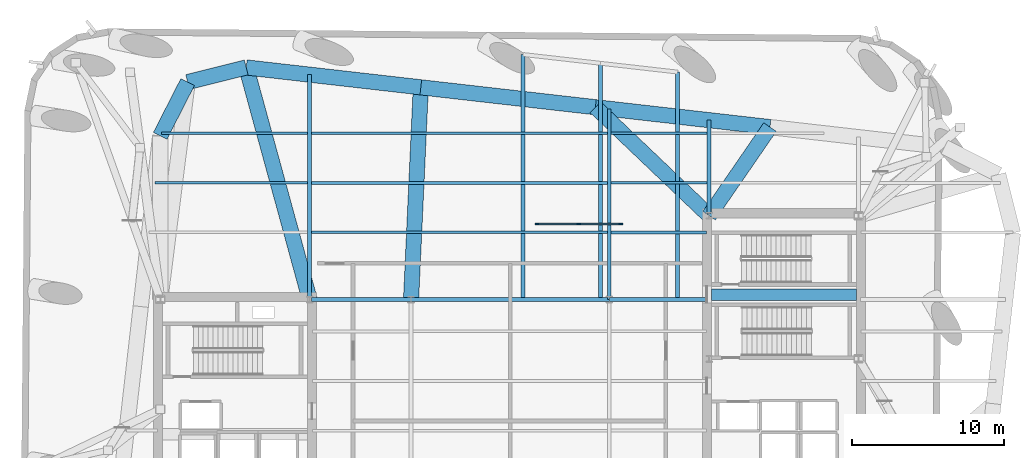
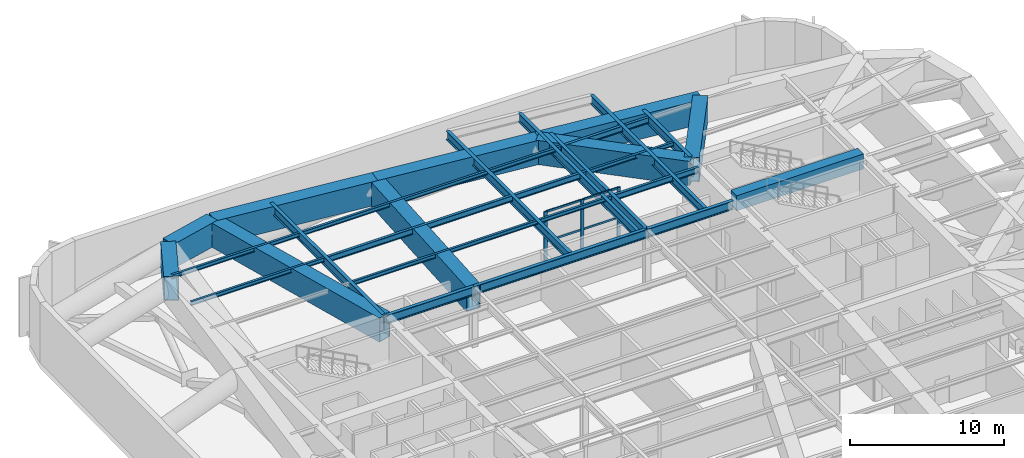
# One storey, part 5 of 13: 27 beams, 9 members, 1 element without a shape of its own.
"""IFC4 building model written with IfcOpenShell, lengths in metres."""

import ifcopenshell
import ifcopenshell.guid

model = None  # the IFC model being written
_history = None  # IfcOwnerHistory: only IFC2X3 demands one
_inside = {}  # id of a spatial element -> (the spatial element, [elements in it])
_under = {}  # id of a project, library or spatial element -> (it, [spatial elements below it])
_declared = {}  # id of a project -> (the project, [libraries it declares])
_typed = {}  # id of a type object -> (the type object, [elements of that type])
_made_of = {}  # id of a material, layer set ... -> (it, [elements and type objects made of it])


def new_model(schema):
    """Start an empty IFC model of exactly this schema.

    Asked for "IFC4X3", IfcOpenShell would pick the latest addendum, in which some entities
    have other attributes; the version numbers below select the first issue.
    IFC2X3 requires an IfcOwnerHistory on every rooted entity: one is made here for all.
    """
    global model, _history
    if schema == "IFC4X3":
        model = ifcopenshell.file(schema_version=(4, 3, 0, 0))
    else:
        model = ifcopenshell.file(schema=schema)
    _inside.clear()
    _under.clear()
    _declared.clear()
    _typed.clear()
    _made_of.clear()
    _history = None
    if model.schema == "IFC2X3":
        org = make("IfcOrganization", Name="unknown")
        user = make(
            "IfcPersonAndOrganization",
            ThePerson=make("IfcPerson", FamilyName="unknown"),
            TheOrganization=org,
        )
        app = make(
            "IfcApplication",
            ApplicationDeveloper=org,
            Version="unknown",
            ApplicationFullName="unknown",
            ApplicationIdentifier="unknown",
        )
        _history = make(
            "IfcOwnerHistory",
            OwningUser=user,
            OwningApplication=app,
            ChangeAction="ADDED",
            CreationDate=0,
        )
    return model


def make(cls, **values):
    """One entity of the class cls with the attributes given. An attribute that is None is left unset."""
    return model.create_entity(
        cls, **{name: value for name, value in values.items() if value is not None}
    )


def rooted(cls, **values):
    """An entity with a GlobalId (a new one), such as an element, a storey or a relation."""
    return make(cls, GlobalId=ifcopenshell.guid.new(), OwnerHistory=_history, **values)


def si_unit(unit_type, name, prefix=None):
    """IfcSIUnit, for example si_unit("LENGTHUNIT", "METRE", prefix="MILLI")."""
    return make("IfcSIUnit", UnitType=unit_type, Prefix=prefix, Name=name)


def assignment(units):
    """IfcUnitAssignment: the units of a project."""
    return None if units is None else make("IfcUnitAssignment", Units=units)


def point(xyz):
    """IfcCartesianPoint."""
    return None if xyz is None else make("IfcCartesianPoint", Coordinates=xyz)


def direction(xyz):
    """IfcDirection."""
    return None if xyz is None else make("IfcDirection", DirectionRatios=xyz)


def frame(location, z_axis=None, x_axis=None):
    """IfcAxis2Placement3D, a coordinate frame: its origin and axes. An axis left out is left unset."""
    return make(
        "IfcAxis2Placement3D",
        Location=point(location),
        Axis=direction(z_axis),
        RefDirection=direction(x_axis),
    )


def frame_2d(location, x_axis=None):
    """IfcAxis2Placement2D, a coordinate frame in the plane: its origin and x axis."""
    return make(
        "IfcAxis2Placement2D", Location=point(location), RefDirection=direction(x_axis)
    )


def origin():
    """The frame at (0, 0, 0) with its axes left unset."""
    return frame((0.0, 0.0, 0.0))


def origin_2d():
    """The frame at (0, 0) in the plane with its x axis left unset."""
    return frame_2d((0.0, 0.0))


def place(relative_to, where):
    """IfcLocalPlacement: puts the frame where relative to a parent placement (None: the world)."""
    return make(
        "IfcLocalPlacement", PlacementRelTo=relative_to, RelativePlacement=where
    )


def context(
    kind, dimensions, precision=None, world=None, true_north=None, identifier=None
):
    """IfcGeometricRepresentationContext, for example the 3D "Model" context."""
    return make(
        "IfcGeometricRepresentationContext",
        ContextIdentifier=identifier,
        ContextType=kind,
        CoordinateSpaceDimension=dimensions,
        Precision=precision,
        WorldCoordinateSystem=world,
        TrueNorth=true_north,
    )


def subcontext(parent, identifier, kind, view, scale=None):
    """IfcGeometricRepresentationSubContext, for example "Body" below "Model"."""
    return make(
        "IfcGeometricRepresentationSubContext",
        ContextIdentifier=identifier,
        ContextType=kind,
        ParentContext=parent,
        TargetScale=scale,
        TargetView=view,
    )


def project(units=None, contexts=None):
    """IfcProject with its units and contexts."""
    return rooted(
        "IfcProject",
        Name="project",
        RepresentationContexts=contexts,
        UnitsInContext=assignment(units),
    )


def spatial(cls, under=None, at=None, **own):
    """A site, building, storey or space (cls), placed at a placement, below another one or the project."""
    s = rooted(cls, ObjectPlacement=at, **own)
    if under is not None:
        _under.setdefault(under.id(), (under, []))[1].append(s)
    return s


def profile(cls, at=None, kind="AREA", **sizes):
    """A parametric profile (cls). Its sizes go by their IFC names, for example OverallWidth=200.0."""
    return make(cls, ProfileType=kind, Position=at, **sizes)


def rectangle(**sizes):
    """IfcRectangleProfileDef."""
    return profile("IfcRectangleProfileDef", **sizes)


def hollow_rectangle(**sizes):
    """IfcRectangleHollowProfileDef."""
    return profile("IfcRectangleHollowProfileDef", **sizes)


def i_section(**sizes):
    """IfcIShapeProfileDef."""
    return profile("IfcIShapeProfileDef", **sizes)


def extrude(swept, where, along, depth):
    """IfcExtrudedAreaSolid: the profile swept, set in the frame where, extruded along a direction by depth."""
    return make(
        "IfcExtrudedAreaSolid",
        SweptArea=swept,
        Position=where,
        ExtrudedDirection=direction(along),
        Depth=depth,
    )


def shape(context_of_items, identifier, shape_type, items):
    """IfcShapeRepresentation: the items that make up one representation, for example the "Body"."""
    return make(
        "IfcShapeRepresentation",
        ContextOfItems=context_of_items,
        RepresentationIdentifier=identifier,
        RepresentationType=shape_type,
        Items=items,
    )


def material(Name=None, Category=None):
    """IfcMaterial."""
    return make("IfcMaterial", Name=Name, Category=Category)


def material_profile(
    of_material, cross_section, Name=None, Category=None, Priority=None
):
    """IfcMaterialProfile: a cross section and its material."""
    return make(
        "IfcMaterialProfile",
        Name=Name,
        Material=of_material,
        Profile=cross_section,
        Priority=Priority,
        Category=Category,
    )


def profile_set(profiles, Name=None, composite=None):
    """IfcMaterialProfileSet."""
    return make(
        "IfcMaterialProfileSet",
        Name=Name,
        MaterialProfiles=profiles,
        CompositeProfile=composite,
    )


def made_of(thing, what):
    """Note that an element or type object is made of a material, layer set ...; save() writes the relation."""
    if what is not None:
        _made_of.setdefault(what.id(), (what, []))[1].append(thing)
    return thing


def type_object(cls, material=None, **own):
    """A type object (cls), such as IfcWallType, which elements share."""
    return made_of(rooted(cls, **own), material)


def element(
    cls,
    number,
    at=None,
    inside=None,
    cuts=None,
    type_object=None,
    material=None,
    context=None,
    identifier="Body",
    shape_type=None,
    held_by="IfcProductDefinitionShape",
    body=None,
    shapes=None,
    **own,
):
    """One element of the class cls, such as IfcWall. Its Tag is "e" and its number.

    at: its placement. inside: the storey or other place that contains it. cuts: it is an
    opening in that element (IfcRelVoidsElement). A single representation is given by context,
    identifier, shape_type and body (its items); several are given by shapes. held_by: the class
    of the entity that holds the representations. save() writes the other relations.
    """
    e = rooted(cls, Tag="e%d" % number, ObjectPlacement=at, **own)
    if body is not None:
        shapes = [shape(context, identifier, shape_type, body)]
    if shapes is not None:
        e.Representation = make(held_by, Representations=shapes)
    if inside is not None:
        _inside.setdefault(inside.id(), (inside, []))[1].append(e)
    if cuts is not None:
        rooted(
            "IfcRelVoidsElement", RelatingBuildingElement=cuts, RelatedOpeningElement=e
        )
    if type_object is not None:
        _typed.setdefault(type_object.id(), (type_object, []))[1].append(e)
    return made_of(e, material)


def aggregate(whole, parts):
    """IfcRelAggregates: a whole, such as a stair, and the parts it consists of."""
    return rooted("IfcRelAggregates", RelatingObject=whole, RelatedObjects=parts)


def save(model, path):
    """Write the relations noted so far, then the file.

    IfcRelAggregates (storeys below a building ...), IfcRelContainedInSpatialStructure (elements
    in a storey), IfcRelDefinesByType, IfcRelAssociatesMaterial and IfcRelDeclares: one each for
    every whole, place, type object, material and project.
    """
    for whole, parts in _under.values():
        aggregate(whole, parts)
    for where, things in _inside.values():
        rooted(
            "IfcRelContainedInSpatialStructure",
            RelatedElements=things,
            RelatingStructure=where,
        )
    for kind, things in _typed.values():
        rooted("IfcRelDefinesByType", RelatedObjects=things, RelatingType=kind)
    for what, things in _made_of.values():
        rooted("IfcRelAssociatesMaterial", RelatedObjects=things, RelatingMaterial=what)
    for by, libraries in _declared.values():
        rooted("IfcRelDeclares", RelatingContext=by, RelatedDefinitions=libraries)
    model.write(path)


model = new_model("IFC4")

# Units and contexts
model_context = context("Model", 3, precision=1e-05, world=origin(), true_north=direction((0.0, 1.0)))
body_context = subcontext(model_context, "Body", "Model", "MODEL_VIEW")
ifc_project = project(units=[si_unit("LENGTHUNIT", "METRE"), si_unit("AREAUNIT", "SQUARE_METRE"), si_unit("VOLUMEUNIT", "CUBIC_METRE"), si_unit("PLANEANGLEUNIT", "RADIAN"), si_unit("MASSUNIT", "GRAM", prefix="KILO")], contexts=[model_context])

# Site, building, storey
site_placement = place(None, origin())
site = spatial("IfcSite", under=ifc_project, at=site_placement, CompositionType="ELEMENT")
building_placement = place(site_placement, origin())
building = spatial("IfcBuilding", under=site, at=building_placement, Name="Kolvaren Arena Tower", CompositionType="ELEMENT")
storey_placement = place(building_placement, frame((0.0, 0.0, 210.949951171875)))
storey = spatial("IfcBuildingStorey", under=building, at=storey_placement, Name="L51", CompositionType="ELEMENT", Elevation=210.949951171875)

# Beams
ifc_material_1 = material(Name="Steel CSA G40.21 350W", Category="steel")
ifc_material_profile_1 = material_profile(ifc_material_1, i_section(OverallWidth=0.193115234375, OverallDepth=0.462890625, WebThickness=0.0107421875, FlangeThickness=0.0205078125, FilletRadius=0.012939453125, at=origin_2d()), Name="W460x113")
ifc_profile_set_1 = profile_set([ifc_material_profile_1], Name="Steel CSA G40.21 350W")
beam_type_1 = type_object("IfcBeamType", Name="BEAM-F2", PredefinedType="BEAM", material=ifc_profile_set_1)
beam_1_placement = place(storey_placement, frame((44.12744140625, 38.25, 4.5185546875), z_axis=(1.0, 0.0, 0.0), x_axis=(0.0, 1.0, 0.0)))
element("IfcBeam", 1, at=beam_1_placement, inside=storey, type_object=beam_type_1, Name="Composite Floor Beam (L51)", PredefinedType="BEAM", context=body_context, shape_type="SweptSolid", body=[
    extrude(i_section(OverallWidth=0.193115234375, OverallDepth=0.462890625, WebThickness=0.0107421875, FlangeThickness=0.0205078125, FilletRadius=0.012939453125, at=origin_2d()), origin(), (0.0, 0.0, 1.0), 6.25244140625),
])
beam_2_placement = place(storey_placement, frame((24.4775390625, 41.5, 4.5185546875), z_axis=(1.0, 0.0, 0.0), x_axis=(0.0, 1.0, 0.0)))
element("IfcBeam", 2, at=beam_2_placement, inside=storey, type_object=beam_type_1, Name="Composite Floor Beam (L51)", PredefinedType="BEAM", context=body_context, shape_type="SweptSolid", body=[
    extrude(i_section(OverallWidth=0.193115234375, OverallDepth=0.462890625, WebThickness=0.0107421875, FlangeThickness=0.0205078125, FilletRadius=0.012939453125, at=origin_2d()), origin(), (0.0, 0.0, 1.0), 19.39501953125),
])
beam_3_placement = place(storey_placement, frame((44.12744140625, 44.75, 4.5185546875), z_axis=(1.0, 0.0, 0.0), x_axis=(0.0, 1.0, 0.0)))
element("IfcBeam", 3, at=beam_3_placement, inside=storey, type_object=beam_type_1, Name="Composite Floor Beam (L51)", PredefinedType="BEAM", context=body_context, shape_type="SweptSolid", body=[
    extrude(i_section(OverallWidth=0.193115234375, OverallDepth=0.462890625, WebThickness=0.0107421875, FlangeThickness=0.0205078125, FilletRadius=0.012939453125, at=origin_2d()), origin(), (0.0, 0.0, 1.0), 6.295166015625),
])
ifc_material_2 = material(Name="Concrete 60 MPa", Category="concrete")
ifc_material_profile_2 = material_profile(ifc_material_2, rectangle(XDim=0.75, YDim=1.199951171875, at=origin_2d()), Name="RC-750x1200")
ifc_profile_set_2 = profile_set([ifc_material_profile_2], Name="Concrete 60 MPa")
beam_type_2 = type_object("IfcBeamType", Name="CB-CORE-2", PredefinedType="BEAM", material=ifc_profile_set_2)
beam_4_placement = place(storey_placement, frame((50.699951171875, 34.14990234375, 4.420166015625), z_axis=(1.0, 0.0, 0.0), x_axis=(0.0, 1.0, 0.0)))
element("IfcBeam", 4, at=beam_4_placement, inside=storey, type_object=beam_type_2, Name="East Core Coupling Beam (L51)", PredefinedType="BEAM", context=body_context, shape_type="SweptSolid", body=[
    extrude(rectangle(XDim=0.75, YDim=1.199951171875, at=origin_2d()), origin(), (0.0, 0.0, 1.0), 9.5),
])

# Curtain wall, members
ifc_material_3 = material(Name="Anodised aluminium unitised curtain wall", Category="aluminium")
curtain_wall_type = type_object("IfcCurtainWallType", Name="CW-SYS-05", PredefinedType="USERDEFINED", material=ifc_material_3)
curtain_wall_placement = place(storey_placement, origin())
curtain_wall = element("IfcCurtainWall", 5, at=curtain_wall_placement, inside=storey, type_object=curtain_wall_type, Name="Mechanical Plant Louvre Curtain Wall (L51)", ObjectType="ACOUSTIC LOUVRE SCREEN", PredefinedType="USERDEFINED")
ifc_material_4 = material(Name="Anodised aluminium 6063-T6", Category="aluminium")
ifc_material_profile_3 = material_profile(ifc_material_4, rectangle(XDim=0.10009765625, YDim=0.239990234375, at=origin_2d()), Name="ALU-100x240")
ifc_profile_set_3 = profile_set([ifc_material_profile_3], Name="Anodised aluminium 6063-T6")
member_type_1 = type_object("IfcMemberType", Name="CWM-HVY", PredefinedType="MULLION", material=ifc_profile_set_3)
member_1_placement = place(storey_placement, frame((39.25, 38.800048828125, 0.0), z_axis=(0.0, 0.0, 1.0), x_axis=(0.0, 1.0, 0.0)))
member_1 = element("IfcMember", 6, at=member_1_placement, type_object=member_type_1, Name="CW5 mullion 1", PredefinedType="MULLION", context=body_context, shape_type="SweptSolid", body=[
    extrude(rectangle(XDim=0.10009765625, YDim=0.239990234375, at=origin_2d()), origin(), (0.0, 0.0, 1.0), 4.75),
])
member_2_placement = place(storey_placement, frame((42.0, 38.800048828125, 0.0), z_axis=(0.0, 0.0, 1.0), x_axis=(0.0, 1.0, 0.0)))
member_2 = element("IfcMember", 7, at=member_2_placement, type_object=member_type_1, Name="CW5 mullion 2", PredefinedType="MULLION", context=body_context, shape_type="SweptSolid", body=[
    extrude(rectangle(XDim=0.10009765625, YDim=0.239990234375, at=origin_2d()), origin(), (0.0, 0.0, 1.0), 4.75),
])
member_3_placement = place(storey_placement, frame((44.75, 38.800048828125, 0.0), z_axis=(0.0, 0.0, 1.0), x_axis=(0.0, 1.0, 0.0)))
member_3 = element("IfcMember", 8, at=member_3_placement, type_object=member_type_1, Name="CW5 mullion 3", PredefinedType="MULLION", context=body_context, shape_type="SweptSolid", body=[
    extrude(rectangle(XDim=0.10009765625, YDim=0.239990234375, at=origin_2d()), origin(), (0.0, 0.0, 1.0), 4.75),
])
ifc_material_profile_4 = material_profile(ifc_material_4, rectangle(XDim=0.080078125, YDim=0.14990234375, at=origin_2d()), Name="ALU-80x150")
ifc_profile_set_4 = profile_set([ifc_material_profile_4], Name="Anodised aluminium 6063-T6")
member_type_2 = type_object("IfcMemberType", Name="CWT-STD", PredefinedType="USERDEFINED", material=ifc_profile_set_4)
member_4_placement = place(storey_placement, frame((39.300048828125, 38.800048828125, 0.0400390625), z_axis=(1.0, 0.0, 0.0), x_axis=(0.0, 1.0, 0.0)))
member_4 = element("IfcMember", 9, at=member_4_placement, type_object=member_type_2, Name="CW5 transom 1.1", ObjectType="TRANSOM", PredefinedType="USERDEFINED", context=body_context, shape_type="SweptSolid", body=[
    extrude(rectangle(XDim=0.080078125, YDim=0.14990234375, at=origin_2d()), origin(), (0.0, 0.0, 1.0), 2.64990234375),
])
member_5_placement = place(storey_placement, frame((39.300048828125, 38.800048828125, 2.375), z_axis=(1.0, 0.0, 0.0), x_axis=(0.0, 1.0, 0.0)))
member_5 = element("IfcMember", 10, at=member_5_placement, type_object=member_type_2, Name="CW5 transom 1.2", ObjectType="TRANSOM", PredefinedType="USERDEFINED", context=body_context, shape_type="SweptSolid", body=[
    extrude(rectangle(XDim=0.080078125, YDim=0.14990234375, at=origin_2d()), origin(), (0.0, 0.0, 1.0), 2.64990234375),
])
member_6_placement = place(storey_placement, frame((39.300048828125, 38.800048828125, 4.7099609375), z_axis=(1.0, 0.0, 0.0), x_axis=(0.0, 1.0, 0.0)))
member_6 = element("IfcMember", 11, at=member_6_placement, type_object=member_type_2, Name="CW5 transom 1.3", ObjectType="TRANSOM", PredefinedType="USERDEFINED", context=body_context, shape_type="SweptSolid", body=[
    extrude(rectangle(XDim=0.080078125, YDim=0.14990234375, at=origin_2d()), origin(), (0.0, 0.0, 1.0), 2.64990234375),
])
member_7_placement = place(storey_placement, frame((42.050048828125, 38.800048828125, 0.0400390625), z_axis=(1.0, 0.0, 0.0), x_axis=(0.0, 1.0, 0.0)))
member_7 = element("IfcMember", 12, at=member_7_placement, type_object=member_type_2, Name="CW5 transom 2.1", ObjectType="TRANSOM", PredefinedType="USERDEFINED", context=body_context, shape_type="SweptSolid", body=[
    extrude(rectangle(XDim=0.080078125, YDim=0.14990234375, at=origin_2d()), origin(), (0.0, 0.0, 1.0), 2.64990234375),
])
member_8_placement = place(storey_placement, frame((42.050048828125, 38.800048828125, 2.375), z_axis=(1.0, 0.0, 0.0), x_axis=(0.0, 1.0, 0.0)))
member_8 = element("IfcMember", 13, at=member_8_placement, type_object=member_type_2, Name="CW5 transom 2.2", ObjectType="TRANSOM", PredefinedType="USERDEFINED", context=body_context, shape_type="SweptSolid", body=[
    extrude(rectangle(XDim=0.080078125, YDim=0.14990234375, at=origin_2d()), origin(), (0.0, 0.0, 1.0), 2.64990234375),
])
member_9_placement = place(storey_placement, frame((42.050048828125, 38.800048828125, 4.7099609375), z_axis=(1.0, 0.0, 0.0), x_axis=(0.0, 1.0, 0.0)))
member_9 = element("IfcMember", 14, at=member_9_placement, type_object=member_type_2, Name="CW5 transom 2.3", ObjectType="TRANSOM", PredefinedType="USERDEFINED", context=body_context, shape_type="SweptSolid", body=[
    extrude(rectangle(XDim=0.080078125, YDim=0.14990234375, at=origin_2d()), origin(), (0.0, 0.0, 1.0), 2.64990234375),
])
aggregate(curtain_wall, [member_1, member_2, member_3, member_4, member_5, member_6, member_7, member_8, member_9])

# Beams
ifc_material_profile_5 = material_profile(ifc_material_1, i_section(OverallWidth=0.2548828125, OverallDepth=0.695068359375, WebThickness=0.01708984375, FlangeThickness=0.02978515625, FilletRadius=0.01611328125, at=origin_2d()), Name="W690x217")
ifc_profile_set_5 = profile_set([ifc_material_profile_5], Name="Steel CSA G40.21 350W")
beam_type_3 = type_object("IfcBeamType", Name="GIRD-T2", PredefinedType="BEAM", material=ifc_profile_set_5)
beam_5_placement = place(storey_placement, frame((24.47998046875, 33.85009765625, 4.402587890625), z_axis=(1.0, 0.0, 0.0), x_axis=(0.0, 1.0, 0.0)))
element("IfcBeam", 15, at=beam_5_placement, inside=storey, type_object=beam_type_3, Name="Primary Floor Girder (L51)", PredefinedType="BEAM", context=body_context, shape_type="SweptSolid", body=[
    extrude(i_section(OverallWidth=0.2548828125, OverallDepth=0.695068359375, WebThickness=0.01708984375, FlangeThickness=0.02978515625, FilletRadius=0.01611328125, at=origin_2d()), origin(), (0.0, 0.0, 1.0), 6.52001953125),
])
beam_6_placement = place(storey_placement, frame((31.0, 33.85009765625, 4.402587890625), z_axis=(1.0, 0.0, 0.0), x_axis=(0.0, 1.0, 0.0)))
element("IfcBeam", 16, at=beam_6_placement, inside=storey, type_object=beam_type_3, Name="Primary Floor Girder (L51)", PredefinedType="BEAM", context=body_context, shape_type="SweptSolid", body=[
    extrude(i_section(OverallWidth=0.2548828125, OverallDepth=0.695068359375, WebThickness=0.01708984375, FlangeThickness=0.02978515625, FilletRadius=0.01611328125, at=origin_2d()), origin(), (0.0, 0.0, 1.0), 13.0),
])
beam_7_placement = place(storey_placement, frame((44.0, 33.85009765625, 4.402587890625), z_axis=(1.0, 0.0, 0.0), x_axis=(0.0, 1.0, 0.0)))
element("IfcBeam", 17, at=beam_7_placement, inside=storey, type_object=beam_type_3, Name="Primary Floor Girder (L51)", PredefinedType="BEAM", context=body_context, shape_type="SweptSolid", body=[
    extrude(i_section(OverallWidth=0.2548828125, OverallDepth=0.695068359375, WebThickness=0.01708984375, FlangeThickness=0.02978515625, FilletRadius=0.01611328125, at=origin_2d()), origin(), (0.0, 0.0, 1.0), 6.419921875),
])
beam_8_placement = place(storey_placement, frame((24.35009765625, 33.97998046875, 4.402587890625), z_axis=(0.0, 1.0, 0.0), x_axis=(-1.0, 0.0, 0.0)))
element("IfcBeam", 18, at=beam_8_placement, inside=storey, type_object=beam_type_3, Name="Primary Floor Girder (L51)", PredefinedType="BEAM", context=body_context, shape_type="SweptSolid", body=[
    extrude(i_section(OverallWidth=0.2548828125, OverallDepth=0.695068359375, WebThickness=0.01708984375, FlangeThickness=0.02978515625, FilletRadius=0.01611328125, at=origin_2d()), origin(), (0.0, 0.0, 1.0), 14.61376953125),
])
beam_9_placement = place(storey_placement, frame((44.0, 33.85009765625, 4.402587890625), z_axis=(0.0, 1.0, 0.0), x_axis=(-1.0, 0.0, 0.0)))
element("IfcBeam", 19, at=beam_9_placement, inside=storey, type_object=beam_type_3, Name="Primary Floor Girder (L51)", PredefinedType="BEAM", context=body_context, shape_type="SweptSolid", body=[
    extrude(i_section(OverallWidth=0.2548828125, OverallDepth=0.695068359375, WebThickness=0.01708984375, FlangeThickness=0.02978515625, FilletRadius=0.01611328125, at=origin_2d()), origin(), (0.0, 0.0, 1.0), 12.5048828125),
])
beam_10_placement = place(storey_placement, frame((50.550048828125, 39.47998046875, 4.402587890625), z_axis=(0.0, 1.0, 0.0), x_axis=(-1.0, 0.0, 0.0)))
element("IfcBeam", 20, at=beam_10_placement, inside=storey, type_object=beam_type_3, Name="Primary Floor Girder (L51)", PredefinedType="BEAM", context=body_context, shape_type="SweptSolid", body=[
    extrude(i_section(OverallWidth=0.2548828125, OverallDepth=0.695068359375, WebThickness=0.01708984375, FlangeThickness=0.02978515625, FilletRadius=0.01611328125, at=origin_2d()), origin(), (0.0, 0.0, 1.0), 6.128662109375),
])
beam_11_placement = place(storey_placement, frame((38.3515625, 33.85009765625, 4.402587890625), z_axis=(0.0, 1.0, 0.0), x_axis=(-1.0, 0.0, 0.0)))
element("IfcBeam", 21, at=beam_11_placement, inside=storey, type_object=beam_type_3, Name="Terrace Cantilever Support Girder (L52)", PredefinedType="BEAM", context=body_context, shape_type="SweptSolid", body=[
    extrude(i_section(OverallWidth=0.2548828125, OverallDepth=0.695068359375, WebThickness=0.01708984375, FlangeThickness=0.02978515625, FilletRadius=0.01611328125, at=origin_2d()), origin(), (0.0, 0.0, 1.0), 16.067138671875),
])
beam_12_placement = place(storey_placement, frame((43.418701171875, 33.85009765625, 4.402587890625), z_axis=(0.0, 1.0, 0.0), x_axis=(-1.0, 0.0, 0.0)))
element("IfcBeam", 22, at=beam_12_placement, inside=storey, type_object=beam_type_3, Name="Terrace Cantilever Support Girder (L52)", PredefinedType="BEAM", context=body_context, shape_type="SweptSolid", body=[
    extrude(i_section(OverallWidth=0.2548828125, OverallDepth=0.695068359375, WebThickness=0.01708984375, FlangeThickness=0.02978515625, FilletRadius=0.01611328125, at=origin_2d()), origin(), (0.0, 0.0, 1.0), 15.48974609375),
])
beam_13_placement = place(storey_placement, frame((48.486083984375, 33.85009765625, 4.402587890625), z_axis=(0.0, 1.0, 0.0), x_axis=(-1.0, 0.0, 0.0)))
element("IfcBeam", 23, at=beam_13_placement, inside=storey, type_object=beam_type_3, Name="Terrace Cantilever Support Girder (L52)", PredefinedType="BEAM", context=body_context, shape_type="SweptSolid", body=[
    extrude(i_section(OverallWidth=0.2548828125, OverallDepth=0.695068359375, WebThickness=0.01708984375, FlangeThickness=0.02978515625, FilletRadius=0.01611328125, at=origin_2d()), origin(), (0.0, 0.0, 1.0), 14.91259765625),
])
ifc_material_profile_6 = material_profile(ifc_material_1, i_section(OverallWidth=0.1669921875, OverallDepth=0.31689453125, WebThickness=0.007568359375, FlangeThickness=0.01318359375, FilletRadius=0.010009765625, at=origin_2d()), Name="W310x52")
ifc_profile_set_6 = profile_set([ifc_material_profile_6], Name="Steel CSA G40.21 350W")
beam_type_4 = type_object("IfcBeamType", Name="JOIST-02", PredefinedType="JOIST", material=ifc_profile_set_6)
beam_14_placement = place(storey_placement, frame((24.4775390625, 38.25, 4.591552734375), z_axis=(1.0, 0.0, 0.0), x_axis=(0.0, 1.0, 0.0)))
element("IfcBeam", 24, at=beam_14_placement, inside=storey, type_object=beam_type_4, Name="Composite Floor Joist (L51)", PredefinedType="JOIST", context=body_context, shape_type="SweptSolid", body=[
    extrude(i_section(OverallWidth=0.1669921875, OverallDepth=0.31689453125, WebThickness=0.007568359375, FlangeThickness=0.01318359375, FilletRadius=0.010009765625, at=origin_2d()), origin(), (0.0, 0.0, 1.0), 19.39501953125),
])
beam_15_placement = place(storey_placement, frame((14.193359375, 41.5, 4.591552734375), z_axis=(1.0, 0.0, 0.0), x_axis=(0.0, 1.0, 0.0)))
element("IfcBeam", 25, at=beam_15_placement, inside=storey, type_object=beam_type_4, Name="Composite Floor Joist (L51)", PredefinedType="JOIST", context=body_context, shape_type="SweptSolid", body=[
    extrude(i_section(OverallWidth=0.1669921875, OverallDepth=0.31689453125, WebThickness=0.007568359375, FlangeThickness=0.01318359375, FilletRadius=0.010009765625, at=origin_2d()), origin(), (0.0, 0.0, 1.0), 10.029052734375),
])
beam_16_placement = place(storey_placement, frame((44.12744140625, 41.5, 4.591552734375), z_axis=(1.0, 0.0, 0.0), x_axis=(0.0, 1.0, 0.0)))
element("IfcBeam", 26, at=beam_16_placement, inside=storey, type_object=beam_type_4, Name="Composite Floor Joist (L51)", PredefinedType="JOIST", context=body_context, shape_type="SweptSolid", body=[
    extrude(i_section(OverallWidth=0.1669921875, OverallDepth=0.31689453125, WebThickness=0.007568359375, FlangeThickness=0.01318359375, FilletRadius=0.010009765625, at=origin_2d()), origin(), (0.0, 0.0, 1.0), 6.295166015625),
])
beam_17_placement = place(storey_placement, frame((14.632080078125, 44.75, 4.591552734375), z_axis=(1.0, 0.0, 0.0), x_axis=(0.0, 1.0, 0.0)))
element("IfcBeam", 27, at=beam_17_placement, inside=storey, type_object=beam_type_4, Name="Composite Floor Joist (L51)", PredefinedType="JOIST", context=body_context, shape_type="SweptSolid", body=[
    extrude(i_section(OverallWidth=0.1669921875, OverallDepth=0.31689453125, WebThickness=0.007568359375, FlangeThickness=0.01318359375, FilletRadius=0.010009765625, at=origin_2d()), origin(), (0.0, 0.0, 1.0), 9.59033203125),
])
beam_18_placement = place(storey_placement, frame((24.4775390625, 44.75, 4.591552734375), z_axis=(1.0, 0.0, 0.0), x_axis=(0.0, 1.0, 0.0)))
element("IfcBeam", 28, at=beam_18_placement, inside=storey, type_object=beam_type_4, Name="Composite Floor Joist (L51)", PredefinedType="JOIST", context=body_context, shape_type="SweptSolid", body=[
    extrude(i_section(OverallWidth=0.1669921875, OverallDepth=0.31689453125, WebThickness=0.007568359375, FlangeThickness=0.01318359375, FilletRadius=0.010009765625, at=origin_2d()), origin(), (0.0, 0.0, 1.0), 19.39501953125),
])
ifc_material_5 = material(Name="Steel CSA G40.21 350WT", Category="steel")
ifc_material_profile_7 = material_profile(ifc_material_5, hollow_rectangle(XDim=1.0, YDim=1.919921875, WallThickness=0.044921875, at=origin_2d()), Name="BOX 1000x1920x45")
ifc_profile_set_7 = profile_set([ifc_material_profile_7], Name="Steel CSA G40.21 350WT")
beam_type_5 = type_object("IfcBeamType", Name="TG-MEGA", PredefinedType="USERDEFINED", material=ifc_profile_set_7)
beam_19_placement = place(storey_placement, frame((54.54150390625, 45.15380859375, 3.7900390625), z_axis=(-0.99357166944, 0.113204848336, 0.0), x_axis=(-0.113204848336, -0.99357166944, 0.0)))
element("IfcBeam", 29, at=beam_19_placement, inside=storey, type_object=beam_type_5, Name="Perimeter Transfer Ring Girder 13 (L51)", ObjectType="TRANSFER GIRDER", PredefinedType="USERDEFINED", context=body_context, shape_type="SweptSolid", body=[
    extrude(hollow_rectangle(XDim=1.0, YDim=1.919921875, WallThickness=0.044921875, at=origin_2d()), origin(), (0.0, 0.0, 1.0), 11.52490234375),
])
beam_20_placement = place(storey_placement, frame((54.54150390625, 45.15380859375, 3.7900390625), z_axis=(-0.566664147403, -0.823948872229, 0.0), x_axis=(0.823948872229, -0.566664147403, 0.0)))
element("IfcBeam", 30, at=beam_20_placement, inside=storey, type_object=beam_type_5, Name="Cantilever Block Transfer Girder 13 (L51)", ObjectType="TRANSFER GIRDER", PredefinedType="USERDEFINED", context=body_context, shape_type="SweptSolid", body=[
    extrude(hollow_rectangle(XDim=1.0, YDim=1.919921875, WallThickness=0.044921875, at=origin_2d()), origin(), (0.0, 0.0, 1.0), 7.043701171875),
])
beam_21_placement = place(storey_placement, frame((43.090576171875, 46.45849609375, 3.7900390625), z_axis=(-0.99357166944, 0.113204848336, 0.0), x_axis=(-0.113204848336, -0.99357166944, 0.0)))
element("IfcBeam", 31, at=beam_21_placement, inside=storey, type_object=beam_type_5, Name="Perimeter Transfer Ring Girder 14 (L51)", ObjectType="TRANSFER GIRDER", PredefinedType="USERDEFINED", context=body_context, shape_type="SweptSolid", body=[
    extrude(hollow_rectangle(XDim=1.0, YDim=1.919921875, WallThickness=0.044921875, at=origin_2d()), origin(), (0.0, 0.0, 1.0), 11.52490234375),
])
beam_22_placement = place(storey_placement, frame((43.090576171875, 46.45849609375, 3.7900390625), z_axis=(0.723937306892, -0.689865766429, 0.0), x_axis=(0.689865766429, 0.723937306892, 0.0)))
element("IfcBeam", 32, at=beam_22_placement, inside=storey, type_object=beam_type_5, Name="Cantilever Block Transfer Girder 14 (L51)", ObjectType="TRANSFER GIRDER", PredefinedType="USERDEFINED", context=body_context, shape_type="SweptSolid", body=[
    extrude(hollow_rectangle(XDim=1.0, YDim=1.919921875, WallThickness=0.044921875, at=origin_2d()), origin(), (0.0, 0.0, 1.0), 10.303955078125),
])
beam_23_placement = place(storey_placement, frame((31.6396484375, 47.76318359375, 3.7900390625), z_axis=(-0.99357166944, 0.113204848336, 0.0), x_axis=(-0.113204848336, -0.99357166944, 0.0)))
element("IfcBeam", 33, at=beam_23_placement, inside=storey, type_object=beam_type_5, Name="Perimeter Transfer Ring Girder 15 (L51)", ObjectType="TRANSFER GIRDER", PredefinedType="USERDEFINED", context=body_context, shape_type="SweptSolid", body=[
    extrude(hollow_rectangle(XDim=1.0, YDim=1.919921875, WallThickness=0.044921875, at=origin_2d()), origin(), (0.0, 0.0, 1.0), 11.52490234375),
])
beam_24_placement = place(storey_placement, frame((31.6396484375, 47.76318359375, 3.7900390625), z_axis=(-0.045926080633, -0.998944840878, 0.0), x_axis=(0.998944840878, -0.045926080633, 0.0)))
element("IfcBeam", 34, at=beam_24_placement, inside=storey, type_object=beam_type_5, Name="Cantilever Block Transfer Girder 15 (L51)", ObjectType="TRANSFER GIRDER", PredefinedType="USERDEFINED", context=body_context, shape_type="SweptSolid", body=[
    extrude(hollow_rectangle(XDim=1.0, YDim=1.919921875, WallThickness=0.044921875, at=origin_2d()), origin(), (0.0, 0.0, 1.0), 13.927734375),
])
beam_25_placement = place(storey_placement, frame((20.188720703125, 49.06787109375, 3.7900390625), z_axis=(-0.970037270834, -0.242956154878, 0.0), x_axis=(0.242956154878, -0.970037270834, 0.0)))
element("IfcBeam", 35, at=beam_25_placement, inside=storey, type_object=beam_type_5, Name="Perimeter Transfer Ring Girder 16 (L51)", ObjectType="TRANSFER GIRDER", PredefinedType="USERDEFINED", context=body_context, shape_type="SweptSolid", body=[
    extrude(hollow_rectangle(XDim=1.0, YDim=1.919921875, WallThickness=0.044921875, at=origin_2d()), origin(), (0.0, 0.0, 1.0), 3.961181640625),
])
beam_26_placement = place(storey_placement, frame((20.188720703125, 49.06787109375, 3.7900390625), z_axis=(0.263770746005, -0.964585399823, 0.0), x_axis=(0.964585399823, 0.263770746005, 0.0)))
element("IfcBeam", 36, at=beam_26_placement, inside=storey, type_object=beam_type_5, Name="Cantilever Block Transfer Girder 16 (L51)", ObjectType="TRANSFER GIRDER", PredefinedType="USERDEFINED", context=body_context, shape_type="SweptSolid", body=[
    extrude(hollow_rectangle(XDim=1.0, YDim=1.919921875, WallThickness=0.044921875, at=origin_2d()), origin(), (0.0, 0.0, 1.0), 15.776611328125),
])
beam_27_placement = place(storey_placement, frame((16.34619140625, 48.10546875, 3.7900390625), z_axis=(-0.454913407807, -0.890535676656, 0.0), x_axis=(0.890535676656, -0.454913407807, 0.0)))
element("IfcBeam", 37, at=beam_27_placement, inside=storey, type_object=beam_type_5, Name="Perimeter Transfer Ring Girder 17 (L51)", ObjectType="TRANSFER GIRDER", PredefinedType="USERDEFINED", context=body_context, shape_type="SweptSolid", body=[
    extrude(hollow_rectangle(XDim=1.0, YDim=1.919921875, WallThickness=0.044921875, at=origin_2d()), origin(), (0.0, 0.0, 1.0), 3.961181640625),
])

save(model, "model.ifc")
